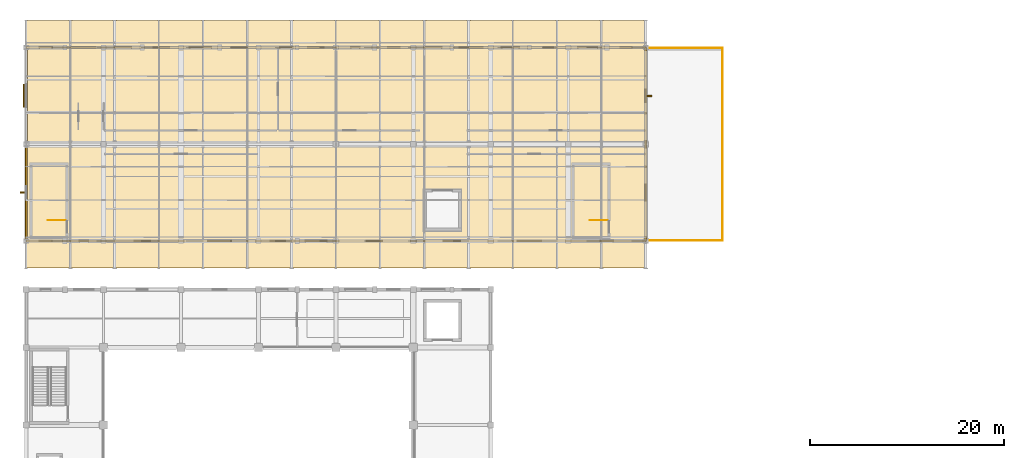
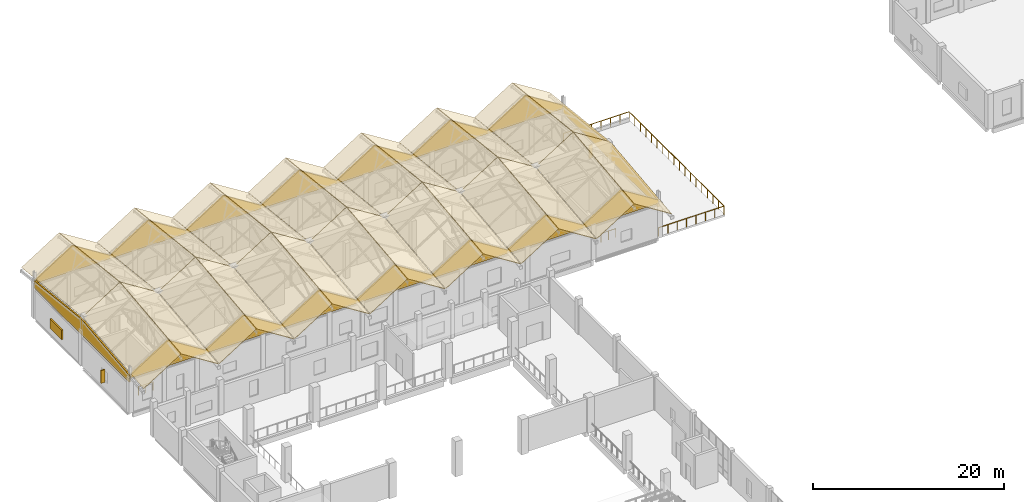
# One storey, part 176 of 183: 32 coverings, 3 railings, 3 shading devices.
"""IFC4 building model written with IfcOpenShell, lengths in metres."""

from ifc_helpers import new_model, si_unit, direction, frame, origin, origin_2d, place, context, subcontext, project, spatial, polyline, rectangle, circle, outline, extrude, material, layer, layer_set, type_object, element, save


model = new_model("IFC4")

# Units and contexts
model_context = context("Model", 3, precision=1e-05, world=origin(), true_north=direction((0.0, 1.0)))
body_context = subcontext(model_context, "Body", "Model", "MODEL_VIEW")
ifc_project = project(units=[si_unit("LENGTHUNIT", "METRE"), si_unit("AREAUNIT", "SQUARE_METRE"), si_unit("VOLUMEUNIT", "CUBIC_METRE"), si_unit("PLANEANGLEUNIT", "RADIAN"), si_unit("MASSUNIT", "GRAM", prefix="KILO")], contexts=[model_context])

# Site, building, storey
site_placement = place(None, origin())
site = spatial("IfcSite", under=ifc_project, at=site_placement, CompositionType="ELEMENT")
building_placement = place(site_placement, origin())
building = spatial("IfcBuilding", under=site, at=building_placement, Name="Luwemba Playhouse", CompositionType="ELEMENT")
storey_placement = place(building_placement, frame((0.0, 0.0, 4.800048828125)))
storey = spatial("IfcBuildingStorey", under=building, at=storey_placement, Name="L01", CompositionType="ELEMENT", Elevation=4.800048828125)

# Coverings
ifc_material_1 = material(Name="Glazed terracotta clay roof tile", Category="masonry")
ifc_layer_1 = layer(ifc_material_1, 0.06494140625)
ifc_layer_set_1 = layer_set([ifc_layer_1], Name="Glazed terracotta clay roof tile")
covering_type_1 = type_object("IfcCoveringType", Name="COV-ROOF-TILE", PredefinedType="ROOFING", material=ifc_layer_set_1)
covering_1_placement = place(storey_placement, frame((4.02490234375, 92.199951171875, 4.627685546875), z_axis=(-0.530404752491, -0.094499485445, 0.842461064848), x_axis=(0.846248100914, 0.0, 0.532789031137)))
element("IfcCovering", 1, at=covering_1_placement, inside=storey, type_object=covering_type_1, Name="RF-V6W glazed clay-tile roofing 1S", PredefinedType="ROOFING", context=body_context, shape_type="SweptSolid", body=[
    extrude(outline(polyline([(0.0, 0.0), (5.342977278315363, 2.7755575615628914e-17), (6.107950982445242, 12.857587684901219), (0.7649737041298791, 12.857587684901219), (0.0, 0.0)])), origin(), (0.0, 0.0, -1.0), 0.06494140625),
])
for number, where, z_axis, x_axis, name in (
    (2, (4.02490234375, 105.0, 6.0634765625), (-0.530404752491, 0.094499485445, 0.842461064848), (0.846248100914, 0.0, 0.532789031137), "RF-V6W glazed clay-tile roofing 1N"),
    (3, (8.596435546875, 92.199951171875, 7.474365234375), (0.530404752491, -0.094499485445, 0.842461064848), (0.846248100914, 0.0, -0.532789031137), "RF-V6W glazed clay-tile roofing 2S"),
):
    element("IfcCovering", number, at=place(storey_placement, frame(where, z_axis=z_axis, x_axis=x_axis)), inside=storey, type_object=covering_type_1, Name=name, PredefinedType="ROOFING", context=body_context, shape_type="SweptSolid", body=[
        extrude(outline(polyline([(0.0, 0.0), (5.342977278315363, -2.7755575615628914e-17), (4.578003574185484, 12.857587684901219), (-0.7649737041298791, 12.857587684901219), (0.0, 0.0)])), origin(), (0.0, 0.0, -1.0), 0.06494140625),
    ])
covering_2_placement = place(storey_placement, frame((8.596435546875, 105.0, 8.91015625), z_axis=(0.530404752491, 0.094499485445, 0.842461064848), x_axis=(0.846248100914, 0.0, -0.532789031137)))
element("IfcCovering", 4, at=covering_2_placement, inside=storey, type_object=covering_type_1, Name="RF-V6W glazed clay-tile roofing 2N", PredefinedType="ROOFING", context=body_context, shape_type="SweptSolid", body=[
    extrude(outline(polyline([(0.0, 0.0), (5.342977278315363, 2.7755575615628914e-17), (6.107950982445242, 12.857587684901219), (0.7649737041298791, 12.857587684901219), (0.0, 0.0)])), origin(), (0.0, 0.0, -1.0), 0.06494140625),
])
covering_3_placement = place(storey_placement, frame((13.16796875, 92.199951171875, 4.627685546875), z_axis=(-0.530425335553, -0.094498049861, 0.842448266647), x_axis=(0.846235129346, 0.0, 0.532809633791)))
element("IfcCovering", 5, at=covering_3_placement, inside=storey, type_object=covering_type_1, Name="RF-V6W glazed clay-tile roofing 3S", PredefinedType="ROOFING", context=body_context, shape_type="SweptSolid", body=[
    extrude(outline(polyline([(0.0, 0.0), (5.342770676358513, -2.7755575615628914e-17), (6.107773961594111, 12.85758592491267), (0.7650032852355985, 12.857585924912671), (0.0, 0.0)])), origin(), (0.0, 0.0, -1.0), 0.06494140625),
])
covering_4_placement = place(storey_placement, frame((13.16796875, 105.0, 6.0634765625), z_axis=(-0.530425335553, 0.094498049861, 0.842448266647), x_axis=(0.846235129346, 0.0, 0.532809633791)))
element("IfcCovering", 6, at=covering_4_placement, inside=storey, type_object=covering_type_1, Name="RF-V6W glazed clay-tile roofing 3N", PredefinedType="ROOFING", context=body_context, shape_type="SweptSolid", body=[
    extrude(outline(polyline([(0.0, 0.0), (5.342770676358513, 2.7755575615628914e-17), (4.577767391122914, 12.857585924912671), (-0.7650032852355985, 12.857585924912671), (0.0, 0.0)])), origin(), (0.0, 0.0, -1.0), 0.06494140625),
])
covering_5_placement = place(storey_placement, frame((17.7392578125, 92.199951171875, 7.474365234375), z_axis=(0.530404752491, -0.094499485445, 0.842461064848), x_axis=(0.846248100914, 0.0, -0.532789031137)))
element("IfcCovering", 7, at=covering_5_placement, inside=storey, type_object=covering_type_1, Name="RF-V6W glazed clay-tile roofing 4S", PredefinedType="ROOFING", context=body_context, shape_type="SweptSolid", body=[
    extrude(outline(polyline([(0.0, 0.0), (5.342977278315363, -2.7755575615628914e-17), (4.578003574185484, 12.857587684901219), (-0.7649737041298791, 12.857587684901219), (0.0, 0.0)])), origin(), (0.0, 0.0, -1.0), 0.06494140625),
])
covering_6_placement = place(storey_placement, frame((17.7392578125, 105.0, 8.91015625), z_axis=(0.530404752491, 0.094499485445, 0.842461064848), x_axis=(0.846248100914, 0.0, -0.532789031137)))
element("IfcCovering", 8, at=covering_6_placement, inside=storey, type_object=covering_type_1, Name="RF-V6W glazed clay-tile roofing 4N", PredefinedType="ROOFING", context=body_context, shape_type="SweptSolid", body=[
    extrude(outline(polyline([(0.0, 0.0), (5.342977278315363, 2.7755575615628914e-17), (6.107950982445242, 12.857587684901219), (0.7649737041298791, 12.857587684901219), (0.0, 0.0)])), origin(), (0.0, 0.0, -1.0), 0.06494140625),
])
covering_7_placement = place(storey_placement, frame((22.310791015625, 92.199951171875, 4.627685546875), z_axis=(-0.530425335553, -0.094498049861, 0.842448266647), x_axis=(0.846235129346, 0.0, 0.532809633791)))
element("IfcCovering", 9, at=covering_7_placement, inside=storey, type_object=covering_type_1, Name="RF-V6W glazed clay-tile roofing 5S", PredefinedType="ROOFING", context=body_context, shape_type="SweptSolid", body=[
    extrude(outline(polyline([(0.0, 0.0), (5.342770676358513, -2.7755575615628914e-17), (6.107773961594111, 12.85758592491267), (0.7650032852355985, 12.857585924912671), (0.0, 0.0)])), origin(), (0.0, 0.0, -1.0), 0.06494140625),
])
covering_8_placement = place(storey_placement, frame((22.310791015625, 105.0, 6.0634765625), z_axis=(-0.530425335553, 0.094498049861, 0.842448266647), x_axis=(0.846235129346, 0.0, 0.532809633791)))
element("IfcCovering", 10, at=covering_8_placement, inside=storey, type_object=covering_type_1, Name="RF-V6W glazed clay-tile roofing 5N", PredefinedType="ROOFING", context=body_context, shape_type="SweptSolid", body=[
    extrude(outline(polyline([(0.0, 0.0), (5.342770676358513, 2.7755575615628914e-17), (4.577767391122914, 12.857585924912671), (-0.7650032852355985, 12.857585924912671), (0.0, 0.0)])), origin(), (0.0, 0.0, -1.0), 0.06494140625),
])
covering_9_placement = place(storey_placement, frame((26.882080078125, 92.199951171875, 7.474365234375), z_axis=(0.530404752491, -0.094499485445, 0.842461064848), x_axis=(0.846248100914, 0.0, -0.532789031137)))
element("IfcCovering", 11, at=covering_9_placement, inside=storey, type_object=covering_type_1, Name="RF-V6W glazed clay-tile roofing 6S", PredefinedType="ROOFING", context=body_context, shape_type="SweptSolid", body=[
    extrude(outline(polyline([(0.0, 0.0), (5.342977278315363, -2.7755575615628914e-17), (4.578003574185484, 12.857587684901219), (-0.7649737041298791, 12.857587684901219), (0.0, 0.0)])), origin(), (0.0, 0.0, -1.0), 0.06494140625),
])
for number, where, z_axis, x_axis, name in (
    (12, (26.882080078125, 105.0, 8.91015625), (0.530404752491, 0.094499485445, 0.842461064848), (0.846248100914, 0.0, -0.532789031137), "RF-V6W glazed clay-tile roofing 6N"),
    (13, (31.45361328125, 92.199951171875, 4.627685546875), (-0.530404752491, -0.094499485445, 0.842461064848), (0.846248100914, 0.0, 0.532789031137), "RF-V6W glazed clay-tile roofing 7S"),
):
    element("IfcCovering", number, at=place(storey_placement, frame(where, z_axis=z_axis, x_axis=x_axis)), inside=storey, type_object=covering_type_1, Name=name, PredefinedType="ROOFING", context=body_context, shape_type="SweptSolid", body=[
        extrude(outline(polyline([(0.0, 0.0), (5.342977278315363, 2.7755575615628914e-17), (6.107950982445242, 12.857587684901219), (0.7649737041298791, 12.857587684901219), (0.0, 0.0)])), origin(), (0.0, 0.0, -1.0), 0.06494140625),
    ])
for number, where, z_axis, x_axis, name in (
    (14, (31.45361328125, 105.0, 6.0634765625), (-0.530404752491, 0.094499485445, 0.842461064848), (0.846248100914, 0.0, 0.532789031137), "RF-V6W glazed clay-tile roofing 7N"),
    (15, (36.02490234375, 92.199951171875, 7.474365234375), (0.530404752491, -0.094499485445, 0.842461064848), (0.846248100914, 0.0, -0.532789031137), "RF-V6W glazed clay-tile roofing 8S"),
):
    element("IfcCovering", number, at=place(storey_placement, frame(where, z_axis=z_axis, x_axis=x_axis)), inside=storey, type_object=covering_type_1, Name=name, PredefinedType="ROOFING", context=body_context, shape_type="SweptSolid", body=[
        extrude(outline(polyline([(0.0, 0.0), (5.342977278315363, -2.7755575615628914e-17), (4.578003574185484, 12.857587684901219), (-0.7649737041298791, 12.857587684901219), (0.0, 0.0)])), origin(), (0.0, 0.0, -1.0), 0.06494140625),
    ])
for number, where, z_axis, x_axis, name in (
    (16, (36.02490234375, 105.0, 8.91015625), (0.530404752491, 0.094499485445, 0.842461064848), (0.846248100914, 0.0, -0.532789031137), "RF-V6W glazed clay-tile roofing 8N"),
    (17, (40.596435546875, 92.199951171875, 4.627685546875), (-0.530404752491, -0.094499485445, 0.842461064848), (0.846248100914, 0.0, 0.532789031137), "RF-V6W glazed clay-tile roofing 9S"),
):
    element("IfcCovering", number, at=place(storey_placement, frame(where, z_axis=z_axis, x_axis=x_axis)), inside=storey, type_object=covering_type_1, Name=name, PredefinedType="ROOFING", context=body_context, shape_type="SweptSolid", body=[
        extrude(outline(polyline([(0.0, 0.0), (5.342977278315363, 2.7755575615628914e-17), (6.107950982445242, 12.857587684901219), (0.7649737041298791, 12.857587684901219), (0.0, 0.0)])), origin(), (0.0, 0.0, -1.0), 0.06494140625),
    ])
covering_10_placement = place(storey_placement, frame((40.596435546875, 105.0, 6.0634765625), z_axis=(-0.530404752491, 0.094499485445, 0.842461064848), x_axis=(0.846248100914, 0.0, 0.532789031137)))
element("IfcCovering", 18, at=covering_10_placement, inside=storey, type_object=covering_type_1, Name="RF-V6W glazed clay-tile roofing 9N", PredefinedType="ROOFING", context=body_context, shape_type="SweptSolid", body=[
    extrude(outline(polyline([(0.0, 0.0), (5.342977278315363, -2.7755575615628914e-17), (4.578003574185484, 12.857587684901219), (-0.7649737041298791, 12.857587684901219), (0.0, 0.0)])), origin(), (0.0, 0.0, -1.0), 0.06494140625),
])
covering_11_placement = place(storey_placement, frame((45.16796875, 92.199951171875, 7.474365234375), z_axis=(0.530425335553, -0.094498049861, 0.842448266647), x_axis=(0.846235129346, 0.0, -0.532809633791)))
element("IfcCovering", 19, at=covering_11_placement, inside=storey, type_object=covering_type_1, Name="RF-V6W glazed clay-tile roofing 10S", PredefinedType="ROOFING", context=body_context, shape_type="SweptSolid", body=[
    extrude(outline(polyline([(0.0, 0.0), (5.342770676358513, 2.7755575615628914e-17), (4.577767391122914, 12.857585924912671), (-0.7650032852355985, 12.857585924912671), (0.0, 0.0)])), origin(), (0.0, 0.0, -1.0), 0.06494140625),
])
covering_12_placement = place(storey_placement, frame((45.16796875, 105.0, 8.91015625), z_axis=(0.530425335553, 0.094498049861, 0.842448266647), x_axis=(0.846235129346, 0.0, -0.532809633791)))
element("IfcCovering", 20, at=covering_12_placement, inside=storey, type_object=covering_type_1, Name="RF-V6W glazed clay-tile roofing 10N", PredefinedType="ROOFING", context=body_context, shape_type="SweptSolid", body=[
    extrude(outline(polyline([(0.0, 0.0), (5.342770676358513, -2.7755575615628914e-17), (6.107773961594111, 12.85758592491267), (0.7650032852355985, 12.857585924912671), (0.0, 0.0)])), origin(), (0.0, 0.0, -1.0), 0.06494140625),
])
covering_13_placement = place(storey_placement, frame((49.7392578125, 92.199951171875, 4.627685546875), z_axis=(-0.530404752491, -0.094499485445, 0.842461064848), x_axis=(0.846248100914, 0.0, 0.532789031137)))
element("IfcCovering", 21, at=covering_13_placement, inside=storey, type_object=covering_type_1, Name="RF-V6W glazed clay-tile roofing 11S", PredefinedType="ROOFING", context=body_context, shape_type="SweptSolid", body=[
    extrude(outline(polyline([(0.0, 0.0), (5.342977278315363, 2.7755575615628914e-17), (6.107950982445242, 12.857587684901219), (0.7649737041298791, 12.857587684901219), (0.0, 0.0)])), origin(), (0.0, 0.0, -1.0), 0.06494140625),
])
covering_14_placement = place(storey_placement, frame((49.7392578125, 105.0, 6.0634765625), z_axis=(-0.530404752491, 0.094499485445, 0.842461064848), x_axis=(0.846248100914, 0.0, 0.532789031137)))
element("IfcCovering", 22, at=covering_14_placement, inside=storey, type_object=covering_type_1, Name="RF-V6W glazed clay-tile roofing 11N", PredefinedType="ROOFING", context=body_context, shape_type="SweptSolid", body=[
    extrude(outline(polyline([(0.0, 0.0), (5.342977278315363, -2.7755575615628914e-17), (4.578003574185484, 12.857587684901219), (-0.7649737041298791, 12.857587684901219), (0.0, 0.0)])), origin(), (0.0, 0.0, -1.0), 0.06494140625),
])
covering_15_placement = place(storey_placement, frame((54.310791015625, 92.199951171875, 7.474365234375), z_axis=(0.530425335553, -0.094498049861, 0.842448266647), x_axis=(0.846235129346, 0.0, -0.532809633791)))
element("IfcCovering", 23, at=covering_15_placement, inside=storey, type_object=covering_type_1, Name="RF-V6W glazed clay-tile roofing 12S", PredefinedType="ROOFING", context=body_context, shape_type="SweptSolid", body=[
    extrude(outline(polyline([(0.0, 0.0), (5.342770676358513, 2.7755575615628914e-17), (4.577767391122914, 12.857585924912671), (-0.7650032852355985, 12.857585924912671), (0.0, 0.0)])), origin(), (0.0, 0.0, -1.0), 0.06494140625),
])
covering_16_placement = place(storey_placement, frame((54.310791015625, 105.0, 8.91015625), z_axis=(0.530425335553, 0.094498049861, 0.842448266647), x_axis=(0.846235129346, 0.0, -0.532809633791)))
element("IfcCovering", 24, at=covering_16_placement, inside=storey, type_object=covering_type_1, Name="RF-V6W glazed clay-tile roofing 12N", PredefinedType="ROOFING", context=body_context, shape_type="SweptSolid", body=[
    extrude(outline(polyline([(0.0, 0.0), (5.342770676358513, -2.7755575615628914e-17), (6.107773961594111, 12.85758592491267), (0.7650032852355985, 12.857585924912671), (0.0, 0.0)])), origin(), (0.0, 0.0, -1.0), 0.06494140625),
])
covering_17_placement = place(storey_placement, frame((58.882080078125, 92.199951171875, 4.627685546875), z_axis=(-0.530404752491, -0.094499485445, 0.842461064848), x_axis=(0.846248100914, 0.0, 0.532789031137)))
element("IfcCovering", 25, at=covering_17_placement, inside=storey, type_object=covering_type_1, Name="RF-V6W glazed clay-tile roofing 13S", PredefinedType="ROOFING", context=body_context, shape_type="SweptSolid", body=[
    extrude(outline(polyline([(0.0, 0.0), (5.342977278315363, 2.7755575615628914e-17), (6.107950982445242, 12.857587684901219), (0.7649737041298791, 12.857587684901219), (0.0, 0.0)])), origin(), (0.0, 0.0, -1.0), 0.06494140625),
])
for number, where, z_axis, x_axis, name in (
    (26, (58.882080078125, 105.0, 6.0634765625), (-0.530404752491, 0.094499485445, 0.842461064848), (0.846248100914, 0.0, 0.532789031137), "RF-V6W glazed clay-tile roofing 13N"),
    (27, (63.45361328125, 92.199951171875, 7.474365234375), (0.530404752491, -0.094499485445, 0.842461064848), (0.846248100914, 0.0, -0.532789031137), "RF-V6W glazed clay-tile roofing 14S"),
):
    element("IfcCovering", number, at=place(storey_placement, frame(where, z_axis=z_axis, x_axis=x_axis)), inside=storey, type_object=covering_type_1, Name=name, PredefinedType="ROOFING", context=body_context, shape_type="SweptSolid", body=[
        extrude(outline(polyline([(0.0, 0.0), (5.342977278315363, -2.7755575615628914e-17), (4.578003574185484, 12.857587684901219), (-0.7649737041298791, 12.857587684901219), (0.0, 0.0)])), origin(), (0.0, 0.0, -1.0), 0.06494140625),
    ])
covering_18_placement = place(storey_placement, frame((63.45361328125, 105.0, 8.91015625), z_axis=(0.530404752491, 0.094499485445, 0.842461064848), x_axis=(0.846248100914, 0.0, -0.532789031137)))
element("IfcCovering", 28, at=covering_18_placement, inside=storey, type_object=covering_type_1, Name="RF-V6W glazed clay-tile roofing 14N", PredefinedType="ROOFING", context=body_context, shape_type="SweptSolid", body=[
    extrude(outline(polyline([(0.0, 0.0), (5.342977278315363, 2.7755575615628914e-17), (6.107950982445242, 12.857587684901219), (0.7649737041298791, 12.857587684901219), (0.0, 0.0)])), origin(), (0.0, 0.0, -1.0), 0.06494140625),
])
ifc_material_2 = material(Name="Structural timber GL24h gable wall infill", Category="wood")
ifc_layer_2 = layer(ifc_material_2, 0.179931640625)
ifc_layer_set_2 = layer_set([ifc_layer_2], Name="Structural timber GL24h gable wall infill")
covering_type_2 = type_object("IfcCoveringType", Name="COV-TIM-TYMP", PredefinedType="CLADDING", material=ifc_layer_set_2)
for number, where, z_axis, x_axis, name in (
    (29, (68.0, 95.0, 4.320068359375), (0.0, 0.0, 1.0), (-1.0, 0.0, 0.0), "RF-V6W south pleated timber fold wall 028"),
    (30, (4.0, 115.0, 4.320068359375), (0.0, 0.0, 1.0), (1.0, 0.0, 0.0), "RF-V6W north pleated timber fold wall 029"),
):
    element("IfcCovering", number, at=place(storey_placement, frame(where, z_axis=z_axis, x_axis=x_axis)), inside=storey, type_object=covering_type_2, Name=name, PredefinedType="CLADDING", context=body_context, shape_type="SweptSolid", body=[
        extrude(outline(polyline([(0.0, 0.0), (64.0, 0.0), (64.0, 0.375), (59.4287109375, 3.253173828125), (54.857177734375, 0.375), (50.28564453125, 3.253173828125), (45.71435546875, 0.375), (41.142822265625, 3.253173828125), (36.5712890625, 0.375), (32.0, 3.253173828125), (27.4287109375, 0.375), (22.857177734375, 3.253173828125), (18.28564453125, 0.375), (13.71435546875, 3.253173828125), (9.142822265625, 0.375), (4.5712890625, 3.253173828125), (0.0, 0.375), (0.0, 0.0)])), frame((0.0, 0.08984375, 0.0), z_axis=(0.0, -1.0, 0.0), x_axis=(1.0, 0.0, 0.0)), (0.0, 0.0, 1.0), 0.179931640625),
    ])
for number, where, z_axis, x_axis, name in (
    (31, (4.0, 95.0, 3.780029296875), (0.0, 0.0, 1.0), (0.0, 1.0, 0.0), "RF-V6W west timber gable infill 030"),
    (32, (68.0, 115.0, 3.780029296875), (0.0, 0.0, 1.0), (0.0, -1.0, 0.0), "RF-V6W east timber gable infill 031"),
):
    element("IfcCovering", number, at=place(storey_placement, frame(where, z_axis=z_axis, x_axis=x_axis)), inside=storey, type_object=covering_type_2, Name=name, PredefinedType="CLADDING", context=body_context, shape_type="SweptSolid", body=[
        extrude(outline(polyline([(0.0, 0.0), (20.0, 0.0), (20.0, 0.9150390625), (10.0, 2.03662109375), (0.0, 0.9150390625), (0.0, 0.0)])), frame((0.0, 0.08984375, 0.0), z_axis=(0.0, -1.0, 0.0), x_axis=(1.0, 0.0, 0.0)), (0.0, 0.0, 1.0), 0.179931640625),
    ])

# Railings
ifc_material_3 = material(Name="Painted wrought-iron balustrade", Category="steel")
railing_type_1 = type_object("IfcRailingType", Name="RLG-BAL-EXT", PredefinedType="BALUSTRADE", material=ifc_material_3)
railing_placement = place(storey_placement, frame((68.0, 95.050048828125, 0.0)))
element("IfcRailing", 33, at=railing_placement, inside=storey, type_object=railing_type_1, Name="L01 Workshop Courtyard Terrace perimeter guard", PredefinedType="BALUSTRADE", context=body_context, shape_type="SweptSolid", body=[
    extrude(circle(Radius=0.02392578125, at=origin_2d()), frame((0.0, 0.0, 1.09619140625), z_axis=(1.0, 0.0, 0.0), x_axis=(0.0, 1.0, 0.0)), (0.0, 0.0, 1.0), 7.949951171875),
    extrude(circle(Radius=0.02392578125, at=origin_2d()), frame((7.949951171875, 0.0, 1.09619140625), z_axis=(0.0, 1.0, 0.0), x_axis=(-1.0, 0.0, 0.0)), (0.0, 0.0, 1.0), 19.89990234375),
    extrude(circle(Radius=0.02392578125, at=origin_2d()), frame((7.949951171875, 19.89990234375, 1.09619140625), z_axis=(-1.0, 0.0, 0.0), x_axis=(0.0, -1.0, 0.0)), (0.0, 0.0, 1.0), 7.949951171875),
    extrude(circle(Radius=0.02099609375, at=origin_2d()), origin(), (0.0, 0.0, 1.0), 1.072021484375),
    extrude(circle(Radius=0.02099609375, at=origin_2d()), frame((1.1357421875, 0.0, 0.0)), (0.0, 0.0, 1.0), 1.072021484375),
    extrude(circle(Radius=0.02099609375, at=origin_2d()), frame((2.271484375, 0.0, 0.0)), (0.0, 0.0, 1.0), 1.072021484375),
    extrude(circle(Radius=0.02099609375, at=origin_2d()), frame((3.4072265625, 0.0, 0.0)), (0.0, 0.0, 1.0), 1.072021484375),
    extrude(circle(Radius=0.02099609375, at=origin_2d()), frame((4.542724609375, 0.0, 0.0)), (0.0, 0.0, 1.0), 1.072021484375),
    extrude(circle(Radius=0.02099609375, at=origin_2d()), frame((5.678466796875, 0.0, 0.0)), (0.0, 0.0, 1.0), 1.072021484375),
    extrude(circle(Radius=0.02099609375, at=origin_2d()), frame((6.814208984375, 0.0, 0.0)), (0.0, 0.0, 1.0), 1.072021484375),
    extrude(circle(Radius=0.02099609375, at=origin_2d()), frame((7.949951171875, 0.0, 0.0)), (0.0, 0.0, 1.0), 1.072021484375),
    extrude(circle(Radius=0.02099609375, at=origin_2d()), frame((7.949951171875, 1.170654296875, 0.0)), (0.0, 0.0, 1.0), 1.072021484375),
    extrude(circle(Radius=0.02099609375, at=origin_2d()), frame((7.949951171875, 2.341064453125, 0.0)), (0.0, 0.0, 1.0), 1.072021484375),
    extrude(circle(Radius=0.02099609375, at=origin_2d()), frame((7.949951171875, 3.51171875, 0.0)), (0.0, 0.0, 1.0), 1.072021484375),
    extrude(circle(Radius=0.02099609375, at=origin_2d()), frame((7.949951171875, 4.682373046875, 0.0)), (0.0, 0.0, 1.0), 1.072021484375),
    extrude(circle(Radius=0.02099609375, at=origin_2d()), frame((7.949951171875, 5.85302734375, 0.0)), (0.0, 0.0, 1.0), 1.072021484375),
    extrude(circle(Radius=0.02099609375, at=origin_2d()), frame((7.949951171875, 7.0234375, 0.0)), (0.0, 0.0, 1.0), 1.072021484375),
    extrude(circle(Radius=0.02099609375, at=origin_2d()), frame((7.949951171875, 8.194091796875, 0.0)), (0.0, 0.0, 1.0), 1.072021484375),
    extrude(circle(Radius=0.02099609375, at=origin_2d()), frame((7.949951171875, 9.36474609375, 0.0)), (0.0, 0.0, 1.0), 1.072021484375),
    extrude(circle(Radius=0.02099609375, at=origin_2d()), frame((7.949951171875, 10.53515625, 0.0)), (0.0, 0.0, 1.0), 1.072021484375),
    extrude(circle(Radius=0.02099609375, at=origin_2d()), frame((7.949951171875, 11.705810546875, 0.0)), (0.0, 0.0, 1.0), 1.072021484375),
    extrude(circle(Radius=0.02099609375, at=origin_2d()), frame((7.949951171875, 12.87646484375, 0.0)), (0.0, 0.0, 1.0), 1.072021484375),
    extrude(circle(Radius=0.02099609375, at=origin_2d()), frame((7.949951171875, 14.046875, 0.0)), (0.0, 0.0, 1.0), 1.072021484375),
    extrude(circle(Radius=0.02099609375, at=origin_2d()), frame((7.949951171875, 15.217529296875, 0.0)), (0.0, 0.0, 1.0), 1.072021484375),
    extrude(circle(Radius=0.02099609375, at=origin_2d()), frame((7.949951171875, 16.38818359375, 0.0)), (0.0, 0.0, 1.0), 1.072021484375),
    extrude(circle(Radius=0.02099609375, at=origin_2d()), frame((7.949951171875, 17.558837890625, 0.0)), (0.0, 0.0, 1.0), 1.072021484375),
    extrude(circle(Radius=0.02099609375, at=origin_2d()), frame((7.949951171875, 18.729248046875, 0.0)), (0.0, 0.0, 1.0), 1.072021484375),
    extrude(circle(Radius=0.02099609375, at=origin_2d()), frame((7.949951171875, 19.89990234375, 0.0)), (0.0, 0.0, 1.0), 1.072021484375),
    extrude(circle(Radius=0.02099609375, at=origin_2d()), frame((6.814208984375, 19.89990234375, 0.0)), (0.0, 0.0, 1.0), 1.072021484375),
    extrude(circle(Radius=0.02099609375, at=origin_2d()), frame((5.678466796875, 19.89990234375, 0.0)), (0.0, 0.0, 1.0), 1.072021484375),
    extrude(circle(Radius=0.02099609375, at=origin_2d()), frame((4.542724609375, 19.89990234375, 0.0)), (0.0, 0.0, 1.0), 1.072021484375),
    extrude(circle(Radius=0.02099609375, at=origin_2d()), frame((3.4072265625, 19.89990234375, 0.0)), (0.0, 0.0, 1.0), 1.072021484375),
    extrude(circle(Radius=0.02099609375, at=origin_2d()), frame((2.271484375, 19.89990234375, 0.0)), (0.0, 0.0, 1.0), 1.072021484375),
    extrude(circle(Radius=0.02099609375, at=origin_2d()), frame((1.1357421875, 19.89990234375, 0.0)), (0.0, 0.0, 1.0), 1.072021484375),
    extrude(circle(Radius=0.02099609375, at=origin_2d()), frame((0.0, 19.89990234375, 0.0)), (0.0, 0.0, 1.0), 1.072021484375),
])
ifc_material_4 = material(Name="Painted wrought-iron gallery balustrade", Category="steel")
railing_type_2 = type_object("IfcRailingType", Name="RLG-BAL-INT", PredefinedType="BALUSTRADE", material=ifc_material_4)
for number, where, name in (
    (34, (8.050048828125, 97.14990234375, 0.0), "L01 ST-08 top well guard 1"),
    (35, (64.050048828125, 97.14990234375, 0.0), "L01 ST-15 top well guard 1"),
):
    element("IfcRailing", number, at=place(storey_placement, frame(where)), inside=storey, type_object=railing_type_2, Name=name, PredefinedType="BALUSTRADE", context=body_context, shape_type="SweptSolid", body=[
        extrude(circle(Radius=0.02392578125, at=origin_2d()), frame((0.0, 0.0, 1.09619140625), z_axis=(-1.0, 0.0, 0.0), x_axis=(0.0, -1.0, 0.0)), (0.0, 0.0, 1.0), 1.800048828125),
        extrude(circle(Radius=0.02099609375, at=origin_2d()), origin(), (0.0, 0.0, 1.0), 1.072021484375),
        extrude(circle(Radius=0.02099609375, at=origin_2d()), frame((-0.89990234375, 0.0, 0.0)), (0.0, 0.0, 1.0), 1.072021484375),
        extrude(circle(Radius=0.02099609375, at=origin_2d()), frame((-1.800048828125, 0.0, 0.0)), (0.0, 0.0, 1.0), 1.072021484375),
    ])

# Shading devices
ifc_material_5 = material(Name="Extruded terracotta brise-soleil fin on steel bracket", Category="masonry")
shading_device_type_1 = type_object("IfcShadingDeviceType", Name="SHD-BRISE", PredefinedType="USERDEFINED", material=ifc_material_5)
for number, where, z_axis, x_axis, name in (
    (36, (3.590087890625, 100.0, 0.824951171875), (0.0, 0.0, 1.0), (0.0, 1.0, 0.0), "L01 terracotta brise-soleil fin 031"),
    (37, (68.409912109375, 110.0, 0.824951171875), (0.0, 0.0, 1.0), (0.0, -1.0, 0.0), "L01 terracotta brise-soleil fin 033"),
):
    element("IfcShadingDevice", number, at=place(storey_placement, frame(where, z_axis=z_axis, x_axis=x_axis)), inside=storey, type_object=shading_device_type_1, Name=name, ObjectType="TERRACOTTA BRISE SOLEIL", PredefinedType="USERDEFINED", context=body_context, shape_type="SweptSolid", body=[
        extrude(rectangle(XDim=0.139892578125, YDim=0.449951171875, at=origin_2d()), origin(), (0.0, 0.0, 1.0), 1.64990234375),
    ])
ifc_material_6 = material(Name="Kiln-fired terracotta gelosia louvre screen", Category="masonry")
shading_device_type_2 = type_object("IfcShadingDeviceType", Name="SHD-GELOSIA", PredefinedType="JALOUSIE", material=ifc_material_6)
shading_device_placement = place(storey_placement, frame((3.77490234375, 110.0, 0.925048828125), z_axis=(0.0, 0.0, 1.0), x_axis=(0.0, 1.0, 0.0)))
element("IfcShadingDevice", 38, at=shading_device_placement, inside=storey, type_object=shading_device_type_2, Name="L01 fired-clay gelosia screen 032", PredefinedType="JALOUSIE", context=body_context, shape_type="SweptSolid", body=[
    extrude(rectangle(XDim=2.39990234375, YDim=0.179931640625, at=origin_2d()), origin(), (0.0, 0.0, 1.0), 1.25),
])

save(model, "model.ifc")
